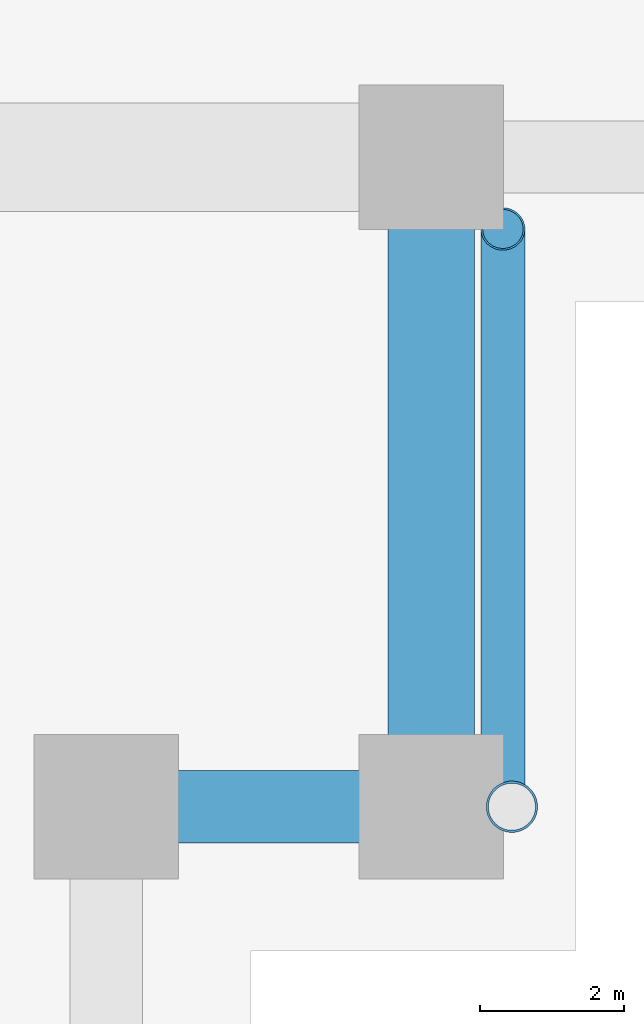
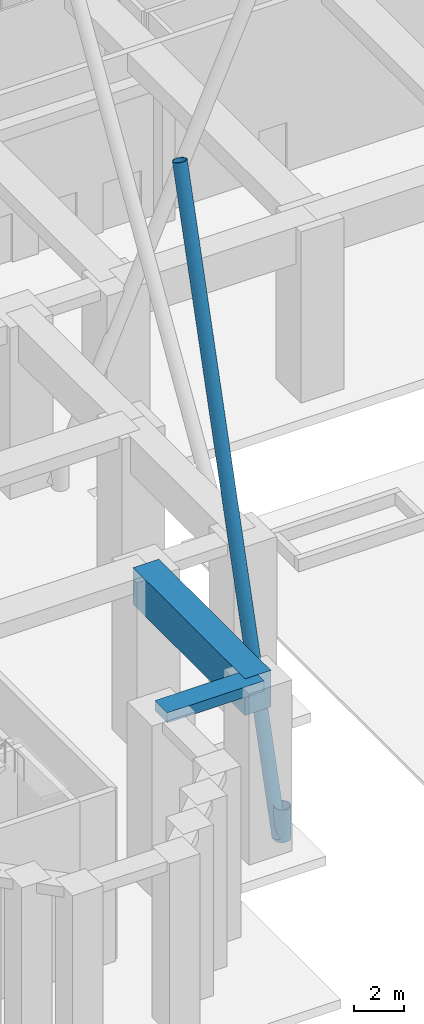
# One storey, part 4 of 44: 2 beams, 2 members.
"""IFC4 building model written with IfcOpenShell, lengths in metres."""

import ifcopenshell
import ifcopenshell.guid

model = None  # the IFC model being written
_history = None  # IfcOwnerHistory: only IFC2X3 demands one
_inside = {}  # id of a spatial element -> (the spatial element, [elements in it])
_under = {}  # id of a project, library or spatial element -> (it, [spatial elements below it])
_declared = {}  # id of a project -> (the project, [libraries it declares])
_typed = {}  # id of a type object -> (the type object, [elements of that type])
_made_of = {}  # id of a material, layer set ... -> (it, [elements and type objects made of it])


def new_model(schema):
    """Start an empty IFC model of exactly this schema.

    Asked for "IFC4X3", IfcOpenShell would pick the latest addendum, in which some entities
    have other attributes; the version numbers below select the first issue.
    IFC2X3 requires an IfcOwnerHistory on every rooted entity: one is made here for all.
    """
    global model, _history
    if schema == "IFC4X3":
        model = ifcopenshell.file(schema_version=(4, 3, 0, 0))
    else:
        model = ifcopenshell.file(schema=schema)
    _inside.clear()
    _under.clear()
    _declared.clear()
    _typed.clear()
    _made_of.clear()
    _history = None
    if model.schema == "IFC2X3":
        org = make("IfcOrganization", Name="unknown")
        user = make(
            "IfcPersonAndOrganization",
            ThePerson=make("IfcPerson", FamilyName="unknown"),
            TheOrganization=org,
        )
        app = make(
            "IfcApplication",
            ApplicationDeveloper=org,
            Version="unknown",
            ApplicationFullName="unknown",
            ApplicationIdentifier="unknown",
        )
        _history = make(
            "IfcOwnerHistory",
            OwningUser=user,
            OwningApplication=app,
            ChangeAction="ADDED",
            CreationDate=0,
        )
    return model


def make(cls, **values):
    """One entity of the class cls with the attributes given. An attribute that is None is left unset."""
    return model.create_entity(
        cls, **{name: value for name, value in values.items() if value is not None}
    )


def rooted(cls, **values):
    """An entity with a GlobalId (a new one), such as an element, a storey or a relation."""
    return make(cls, GlobalId=ifcopenshell.guid.new(), OwnerHistory=_history, **values)


def si_unit(unit_type, name, prefix=None):
    """IfcSIUnit, for example si_unit("LENGTHUNIT", "METRE", prefix="MILLI")."""
    return make("IfcSIUnit", UnitType=unit_type, Prefix=prefix, Name=name)


def assignment(units):
    """IfcUnitAssignment: the units of a project."""
    return None if units is None else make("IfcUnitAssignment", Units=units)


def point(xyz):
    """IfcCartesianPoint."""
    return None if xyz is None else make("IfcCartesianPoint", Coordinates=xyz)


def direction(xyz):
    """IfcDirection."""
    return None if xyz is None else make("IfcDirection", DirectionRatios=xyz)


def frame(location, z_axis=None, x_axis=None):
    """IfcAxis2Placement3D, a coordinate frame: its origin and axes. An axis left out is left unset."""
    return make(
        "IfcAxis2Placement3D",
        Location=point(location),
        Axis=direction(z_axis),
        RefDirection=direction(x_axis),
    )


def frame_2d(location, x_axis=None):
    """IfcAxis2Placement2D, a coordinate frame in the plane: its origin and x axis."""
    return make(
        "IfcAxis2Placement2D", Location=point(location), RefDirection=direction(x_axis)
    )


def origin():
    """The frame at (0, 0, 0) with its axes left unset."""
    return frame((0.0, 0.0, 0.0))


def origin_2d():
    """The frame at (0, 0) in the plane with its x axis left unset."""
    return frame_2d((0.0, 0.0))


def place(relative_to, where):
    """IfcLocalPlacement: puts the frame where relative to a parent placement (None: the world)."""
    return make(
        "IfcLocalPlacement", PlacementRelTo=relative_to, RelativePlacement=where
    )


def context(
    kind, dimensions, precision=None, world=None, true_north=None, identifier=None
):
    """IfcGeometricRepresentationContext, for example the 3D "Model" context."""
    return make(
        "IfcGeometricRepresentationContext",
        ContextIdentifier=identifier,
        ContextType=kind,
        CoordinateSpaceDimension=dimensions,
        Precision=precision,
        WorldCoordinateSystem=world,
        TrueNorth=true_north,
    )


def subcontext(parent, identifier, kind, view, scale=None):
    """IfcGeometricRepresentationSubContext, for example "Body" below "Model"."""
    return make(
        "IfcGeometricRepresentationSubContext",
        ContextIdentifier=identifier,
        ContextType=kind,
        ParentContext=parent,
        TargetScale=scale,
        TargetView=view,
    )


def project(units=None, contexts=None):
    """IfcProject with its units and contexts."""
    return rooted(
        "IfcProject",
        Name="project",
        RepresentationContexts=contexts,
        UnitsInContext=assignment(units),
    )


def spatial(cls, under=None, at=None, **own):
    """A site, building, storey or space (cls), placed at a placement, below another one or the project."""
    s = rooted(cls, ObjectPlacement=at, **own)
    if under is not None:
        _under.setdefault(under.id(), (under, []))[1].append(s)
    return s


def profile(cls, at=None, kind="AREA", **sizes):
    """A parametric profile (cls). Its sizes go by their IFC names, for example OverallWidth=200.0."""
    return make(cls, ProfileType=kind, Position=at, **sizes)


def rectangle(**sizes):
    """IfcRectangleProfileDef."""
    return profile("IfcRectangleProfileDef", **sizes)


def hollow_circle(**sizes):
    """IfcCircleHollowProfileDef."""
    return profile("IfcCircleHollowProfileDef", **sizes)


def extrude(swept, where, along, depth):
    """IfcExtrudedAreaSolid: the profile swept, set in the frame where, extruded along a direction by depth."""
    return make(
        "IfcExtrudedAreaSolid",
        SweptArea=swept,
        Position=where,
        ExtrudedDirection=direction(along),
        Depth=depth,
    )


def shape(context_of_items, identifier, shape_type, items):
    """IfcShapeRepresentation: the items that make up one representation, for example the "Body"."""
    return make(
        "IfcShapeRepresentation",
        ContextOfItems=context_of_items,
        RepresentationIdentifier=identifier,
        RepresentationType=shape_type,
        Items=items,
    )


def material(Name=None, Category=None):
    """IfcMaterial."""
    return make("IfcMaterial", Name=Name, Category=Category)


def material_profile(
    of_material, cross_section, Name=None, Category=None, Priority=None
):
    """IfcMaterialProfile: a cross section and its material."""
    return make(
        "IfcMaterialProfile",
        Name=Name,
        Material=of_material,
        Profile=cross_section,
        Priority=Priority,
        Category=Category,
    )


def profile_set(profiles, Name=None, composite=None):
    """IfcMaterialProfileSet."""
    return make(
        "IfcMaterialProfileSet",
        Name=Name,
        MaterialProfiles=profiles,
        CompositeProfile=composite,
    )


def made_of(thing, what):
    """Note that an element or type object is made of a material, layer set ...; save() writes the relation."""
    if what is not None:
        _made_of.setdefault(what.id(), (what, []))[1].append(thing)
    return thing


def type_object(cls, material=None, **own):
    """A type object (cls), such as IfcWallType, which elements share."""
    return made_of(rooted(cls, **own), material)


def element(
    cls,
    number,
    at=None,
    inside=None,
    cuts=None,
    type_object=None,
    material=None,
    context=None,
    identifier="Body",
    shape_type=None,
    held_by="IfcProductDefinitionShape",
    body=None,
    shapes=None,
    **own,
):
    """One element of the class cls, such as IfcWall. Its Tag is "e" and its number.

    at: its placement. inside: the storey or other place that contains it. cuts: it is an
    opening in that element (IfcRelVoidsElement). A single representation is given by context,
    identifier, shape_type and body (its items); several are given by shapes. held_by: the class
    of the entity that holds the representations. save() writes the other relations.
    """
    e = rooted(cls, Tag="e%d" % number, ObjectPlacement=at, **own)
    if body is not None:
        shapes = [shape(context, identifier, shape_type, body)]
    if shapes is not None:
        e.Representation = make(held_by, Representations=shapes)
    if inside is not None:
        _inside.setdefault(inside.id(), (inside, []))[1].append(e)
    if cuts is not None:
        rooted(
            "IfcRelVoidsElement", RelatingBuildingElement=cuts, RelatedOpeningElement=e
        )
    if type_object is not None:
        _typed.setdefault(type_object.id(), (type_object, []))[1].append(e)
    return made_of(e, material)


def aggregate(whole, parts):
    """IfcRelAggregates: a whole, such as a stair, and the parts it consists of."""
    return rooted("IfcRelAggregates", RelatingObject=whole, RelatedObjects=parts)


def save(model, path):
    """Write the relations noted so far, then the file.

    IfcRelAggregates (storeys below a building ...), IfcRelContainedInSpatialStructure (elements
    in a storey), IfcRelDefinesByType, IfcRelAssociatesMaterial and IfcRelDeclares: one each for
    every whole, place, type object, material and project.
    """
    for whole, parts in _under.values():
        aggregate(whole, parts)
    for where, things in _inside.values():
        rooted(
            "IfcRelContainedInSpatialStructure",
            RelatedElements=things,
            RelatingStructure=where,
        )
    for kind, things in _typed.values():
        rooted("IfcRelDefinesByType", RelatedObjects=things, RelatingType=kind)
    for what, things in _made_of.values():
        rooted("IfcRelAssociatesMaterial", RelatedObjects=things, RelatingMaterial=what)
    for by, libraries in _declared.values():
        rooted("IfcRelDeclares", RelatingContext=by, RelatedDefinitions=libraries)
    model.write(path)


model = new_model("IFC4")

# Units and contexts
model_context = context("Model", 3, precision=1e-05, world=origin(), true_north=direction((0.0, 1.0)))
body_context = subcontext(model_context, "Body", "Model", "MODEL_VIEW")
ifc_project = project(units=[si_unit("LENGTHUNIT", "METRE"), si_unit("AREAUNIT", "SQUARE_METRE"), si_unit("VOLUMEUNIT", "CUBIC_METRE"), si_unit("PLANEANGLEUNIT", "RADIAN"), si_unit("MASSUNIT", "GRAM", prefix="KILO")], contexts=[model_context])

# Site, building, storey
site_placement = place(None, origin())
site = spatial("IfcSite", under=ifc_project, at=site_placement, CompositionType="ELEMENT")
building_placement = place(site_placement, origin())
building = spatial("IfcBuilding", under=site, at=building_placement, Name="Firuza Court", CompositionType="ELEMENT")
storey_placement = place(building_placement, origin())
storey = spatial("IfcBuildingStorey", under=building, at=storey_placement, Name="L00", CompositionType="ELEMENT", Elevation=0.0)

# Members
ifc_material_1 = material(Name="Steel S355", Category="steel")
ifc_material_profile_1 = material_profile(ifc_material_1, hollow_circle(Radius=0.304931640625, WallThickness=0.02490234375, at=origin_2d()), Name="CHS 610x25")
ifc_profile_set_1 = profile_set([ifc_material_profile_1], Name="Steel S355")
member_type_1 = type_object("IfcMemberType", Name="Diagrid diagonal CHS 610x25 S355", PredefinedType="USERDEFINED", material=ifc_profile_set_1)
member_1_placement = place(storey_placement, frame((18.9951171875, 9.0, 0.092041015625), z_axis=(0.0, 0.271664429882, 0.962392039419), x_axis=(-1.0, 0.0, 0.0)))
element("IfcMember", 1, at=member_1_placement, inside=storey, type_object=member_type_1, Name="Diagrid diagonal L00 to L05", ObjectType="DIAGRID", PredefinedType="USERDEFINED", context=body_context, shape_type="SweptSolid", body=[
    extrude(hollow_circle(Radius=0.304931640625, WallThickness=0.02490234375, at=origin_2d()), origin(), (0.0, 0.0, 1.0), 29.466064453125),
])
ifc_material_2 = material(Name="Steel S355", Category="steel")
ifc_material_profile_2 = material_profile(ifc_material_2, hollow_circle(Radius=0.35546875, WallThickness=0.030029296875, at=origin_2d()), Name="CHS 711x30")
ifc_profile_set_2 = profile_set([ifc_material_profile_2], Name="Steel S355")
member_type_2 = type_object("IfcMemberType", Name="Diagrid node CHS 711x30 S355", PredefinedType="USERDEFINED", material=ifc_profile_set_2)
member_2_placement = place(storey_placement, frame((19.1201171875, 9.0, 0.0), z_axis=(0.0, 0.0, 1.0), x_axis=(1.0, 0.0, 0.0)))
element("IfcMember", 2, at=member_2_placement, inside=storey, type_object=member_type_2, Name="Diagrid node level L00", ObjectType="DIAGRID NODE", PredefinedType="USERDEFINED", context=body_context, shape_type="SweptSolid", body=[
    extrude(hollow_circle(Radius=0.35546875, WallThickness=0.030029296875, at=origin_2d()), origin(), (0.0, 0.0, 1.0), 1.60009765625),
])

# Beams
ifc_material_3 = material(Name="Concrete C40/50", Category="concrete")
ifc_material_profile_3 = material_profile(ifc_material_3, rectangle(XDim=1.0, YDim=0.5, at=origin_2d()), Name="RC 1000x500")
ifc_profile_set_3 = profile_set([ifc_material_profile_3], Name="Concrete C40/50")
beam_type_1 = type_object("IfcBeamType", Name="Spandrel beam RC 1000x500 C40/50", PredefinedType="BEAM", material=ifc_profile_set_3)
beam_1_placement = place(storey_placement, frame((13.5, 9.0, 8.14990234375), z_axis=(1.0, 0.0, 0.0), x_axis=(0.0, 1.0, 0.0)))
element("IfcBeam", 3, at=beam_1_placement, inside=storey, type_object=beam_type_1, Name="Spandrel beam SP7 level L01", PredefinedType="BEAM", context=body_context, shape_type="SweptSolid", body=[
    extrude(rectangle(XDim=1.0, YDim=0.5, at=origin_2d()), origin(), (0.0, 0.0, 1.0), 4.5),
])
ifc_material_4 = material(Name="Concrete C60/75", Category="concrete")
ifc_material_profile_4 = material_profile(ifc_material_4, rectangle(XDim=1.199951171875, YDim=1.800048828125, at=origin_2d()), Name="RC 1200x1800")
ifc_profile_set_4 = profile_set([ifc_material_profile_4], Name="Concrete C60/75")
beam_type_2 = type_object("IfcBeamType", Name="Transfer girder RC 1200x1800 C60/75", PredefinedType="USERDEFINED", material=ifc_profile_set_4)
beam_2_placement = place(storey_placement, frame((18.0, 9.0, 7.5), z_axis=(0.0, 1.0, 0.0), x_axis=(-1.0, 0.0, 0.0)))
element("IfcBeam", 4, at=beam_2_placement, inside=storey, type_object=beam_type_2, Name="Transfer girder TG3 level L01", ObjectType="TRANSFER GIRDER", PredefinedType="USERDEFINED", context=body_context, shape_type="SweptSolid", body=[
    extrude(rectangle(XDim=1.199951171875, YDim=1.800048828125, at=origin_2d()), origin(), (0.0, 0.0, 1.0), 9.0),
])

save(model, "model.ifc")
